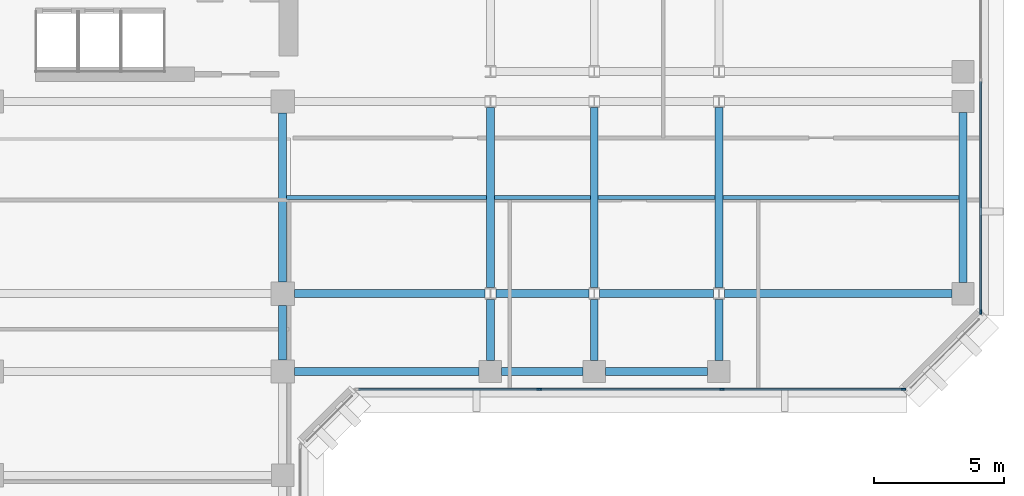
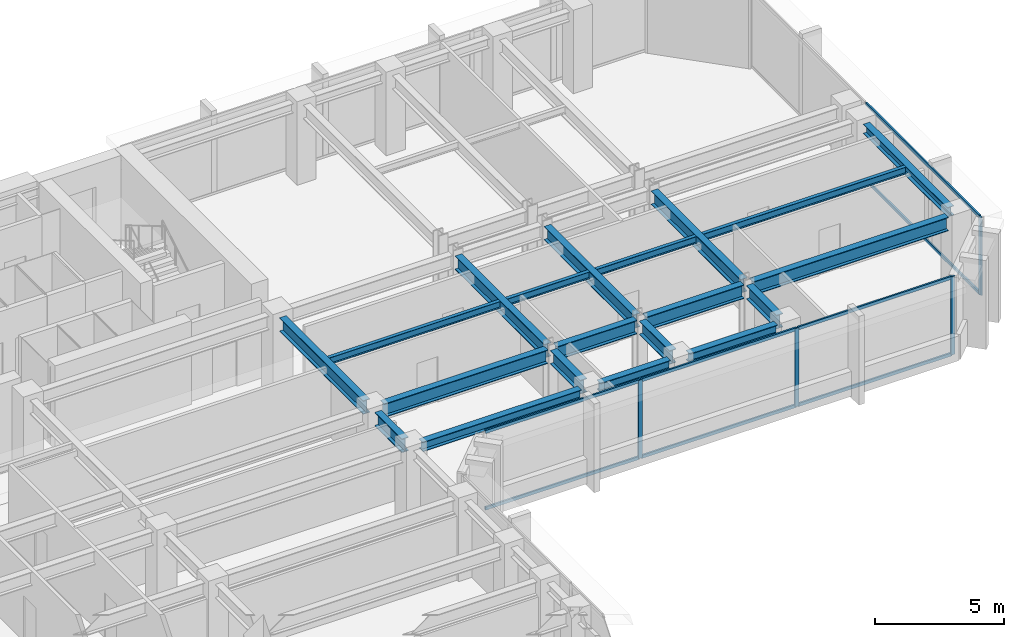
# One storey, part 3 of 11: 20 beams, 12 members, 2 elements without a shape of their own.
"""IFC4 building model written with IfcOpenShell, lengths in metres."""

import ifcopenshell
import ifcopenshell.guid

model = None  # the IFC model being written
_history = None  # IfcOwnerHistory: only IFC2X3 demands one
_inside = {}  # id of a spatial element -> (the spatial element, [elements in it])
_under = {}  # id of a project, library or spatial element -> (it, [spatial elements below it])
_declared = {}  # id of a project -> (the project, [libraries it declares])
_typed = {}  # id of a type object -> (the type object, [elements of that type])
_made_of = {}  # id of a material, layer set ... -> (it, [elements and type objects made of it])


def new_model(schema):
    """Start an empty IFC model of exactly this schema.

    Asked for "IFC4X3", IfcOpenShell would pick the latest addendum, in which some entities
    have other attributes; the version numbers below select the first issue.
    IFC2X3 requires an IfcOwnerHistory on every rooted entity: one is made here for all.
    """
    global model, _history
    if schema == "IFC4X3":
        model = ifcopenshell.file(schema_version=(4, 3, 0, 0))
    else:
        model = ifcopenshell.file(schema=schema)
    _inside.clear()
    _under.clear()
    _declared.clear()
    _typed.clear()
    _made_of.clear()
    _history = None
    if model.schema == "IFC2X3":
        org = make("IfcOrganization", Name="unknown")
        user = make(
            "IfcPersonAndOrganization",
            ThePerson=make("IfcPerson", FamilyName="unknown"),
            TheOrganization=org,
        )
        app = make(
            "IfcApplication",
            ApplicationDeveloper=org,
            Version="unknown",
            ApplicationFullName="unknown",
            ApplicationIdentifier="unknown",
        )
        _history = make(
            "IfcOwnerHistory",
            OwningUser=user,
            OwningApplication=app,
            ChangeAction="ADDED",
            CreationDate=0,
        )
    return model


def make(cls, **values):
    """One entity of the class cls with the attributes given. An attribute that is None is left unset."""
    return model.create_entity(
        cls, **{name: value for name, value in values.items() if value is not None}
    )


def rooted(cls, **values):
    """An entity with a GlobalId (a new one), such as an element, a storey or a relation."""
    return make(cls, GlobalId=ifcopenshell.guid.new(), OwnerHistory=_history, **values)


def si_unit(unit_type, name, prefix=None):
    """IfcSIUnit, for example si_unit("LENGTHUNIT", "METRE", prefix="MILLI")."""
    return make("IfcSIUnit", UnitType=unit_type, Prefix=prefix, Name=name)


def assignment(units):
    """IfcUnitAssignment: the units of a project."""
    return None if units is None else make("IfcUnitAssignment", Units=units)


def point(xyz):
    """IfcCartesianPoint."""
    return None if xyz is None else make("IfcCartesianPoint", Coordinates=xyz)


def direction(xyz):
    """IfcDirection."""
    return None if xyz is None else make("IfcDirection", DirectionRatios=xyz)


def frame(location, z_axis=None, x_axis=None):
    """IfcAxis2Placement3D, a coordinate frame: its origin and axes. An axis left out is left unset."""
    return make(
        "IfcAxis2Placement3D",
        Location=point(location),
        Axis=direction(z_axis),
        RefDirection=direction(x_axis),
    )


def frame_2d(location, x_axis=None):
    """IfcAxis2Placement2D, a coordinate frame in the plane: its origin and x axis."""
    return make(
        "IfcAxis2Placement2D", Location=point(location), RefDirection=direction(x_axis)
    )


def origin():
    """The frame at (0, 0, 0) with its axes left unset."""
    return frame((0.0, 0.0, 0.0))


def origin_2d():
    """The frame at (0, 0) in the plane with its x axis left unset."""
    return frame_2d((0.0, 0.0))


def place(relative_to, where):
    """IfcLocalPlacement: puts the frame where relative to a parent placement (None: the world)."""
    return make(
        "IfcLocalPlacement", PlacementRelTo=relative_to, RelativePlacement=where
    )


def context(
    kind, dimensions, precision=None, world=None, true_north=None, identifier=None
):
    """IfcGeometricRepresentationContext, for example the 3D "Model" context."""
    return make(
        "IfcGeometricRepresentationContext",
        ContextIdentifier=identifier,
        ContextType=kind,
        CoordinateSpaceDimension=dimensions,
        Precision=precision,
        WorldCoordinateSystem=world,
        TrueNorth=true_north,
    )


def subcontext(parent, identifier, kind, view, scale=None):
    """IfcGeometricRepresentationSubContext, for example "Body" below "Model"."""
    return make(
        "IfcGeometricRepresentationSubContext",
        ContextIdentifier=identifier,
        ContextType=kind,
        ParentContext=parent,
        TargetScale=scale,
        TargetView=view,
    )


def project(units=None, contexts=None):
    """IfcProject with its units and contexts."""
    return rooted(
        "IfcProject",
        Name="project",
        RepresentationContexts=contexts,
        UnitsInContext=assignment(units),
    )


def spatial(cls, under=None, at=None, **own):
    """A site, building, storey or space (cls), placed at a placement, below another one or the project."""
    s = rooted(cls, ObjectPlacement=at, **own)
    if under is not None:
        _under.setdefault(under.id(), (under, []))[1].append(s)
    return s


def profile(cls, at=None, kind="AREA", **sizes):
    """A parametric profile (cls). Its sizes go by their IFC names, for example OverallWidth=200.0."""
    return make(cls, ProfileType=kind, Position=at, **sizes)


def rectangle(**sizes):
    """IfcRectangleProfileDef."""
    return profile("IfcRectangleProfileDef", **sizes)


def i_section(**sizes):
    """IfcIShapeProfileDef."""
    return profile("IfcIShapeProfileDef", **sizes)


def extrude(swept, where, along, depth):
    """IfcExtrudedAreaSolid: the profile swept, set in the frame where, extruded along a direction by depth."""
    return make(
        "IfcExtrudedAreaSolid",
        SweptArea=swept,
        Position=where,
        ExtrudedDirection=direction(along),
        Depth=depth,
    )


def shape(context_of_items, identifier, shape_type, items):
    """IfcShapeRepresentation: the items that make up one representation, for example the "Body"."""
    return make(
        "IfcShapeRepresentation",
        ContextOfItems=context_of_items,
        RepresentationIdentifier=identifier,
        RepresentationType=shape_type,
        Items=items,
    )


def material(Name=None, Category=None):
    """IfcMaterial."""
    return make("IfcMaterial", Name=Name, Category=Category)


def layer(
    of_material, thickness, ventilated=None, Name=None, Category=None, Priority=None
):
    """IfcMaterialLayer: one layer of a wall or slab, of a material (None: an air gap)."""
    return make(
        "IfcMaterialLayer",
        Material=of_material,
        LayerThickness=thickness,
        IsVentilated=ventilated,
        Name=Name,
        Category=Category,
        Priority=Priority,
    )


def layer_set(layers, Name=None):
    """IfcMaterialLayerSet."""
    return make("IfcMaterialLayerSet", MaterialLayers=layers, LayerSetName=Name)


def material_profile(
    of_material, cross_section, Name=None, Category=None, Priority=None
):
    """IfcMaterialProfile: a cross section and its material."""
    return make(
        "IfcMaterialProfile",
        Name=Name,
        Material=of_material,
        Profile=cross_section,
        Priority=Priority,
        Category=Category,
    )


def profile_set(profiles, Name=None, composite=None):
    """IfcMaterialProfileSet."""
    return make(
        "IfcMaterialProfileSet",
        Name=Name,
        MaterialProfiles=profiles,
        CompositeProfile=composite,
    )


def made_of(thing, what):
    """Note that an element or type object is made of a material, layer set ...; save() writes the relation."""
    if what is not None:
        _made_of.setdefault(what.id(), (what, []))[1].append(thing)
    return thing


def type_object(cls, material=None, **own):
    """A type object (cls), such as IfcWallType, which elements share."""
    return made_of(rooted(cls, **own), material)


def element(
    cls,
    number,
    at=None,
    inside=None,
    cuts=None,
    type_object=None,
    material=None,
    context=None,
    identifier="Body",
    shape_type=None,
    held_by="IfcProductDefinitionShape",
    body=None,
    shapes=None,
    **own,
):
    """One element of the class cls, such as IfcWall. Its Tag is "e" and its number.

    at: its placement. inside: the storey or other place that contains it. cuts: it is an
    opening in that element (IfcRelVoidsElement). A single representation is given by context,
    identifier, shape_type and body (its items); several are given by shapes. held_by: the class
    of the entity that holds the representations. save() writes the other relations.
    """
    e = rooted(cls, Tag="e%d" % number, ObjectPlacement=at, **own)
    if body is not None:
        shapes = [shape(context, identifier, shape_type, body)]
    if shapes is not None:
        e.Representation = make(held_by, Representations=shapes)
    if inside is not None:
        _inside.setdefault(inside.id(), (inside, []))[1].append(e)
    if cuts is not None:
        rooted(
            "IfcRelVoidsElement", RelatingBuildingElement=cuts, RelatedOpeningElement=e
        )
    if type_object is not None:
        _typed.setdefault(type_object.id(), (type_object, []))[1].append(e)
    return made_of(e, material)


def aggregate(whole, parts):
    """IfcRelAggregates: a whole, such as a stair, and the parts it consists of."""
    return rooted("IfcRelAggregates", RelatingObject=whole, RelatedObjects=parts)


def save(model, path):
    """Write the relations noted so far, then the file.

    IfcRelAggregates (storeys below a building ...), IfcRelContainedInSpatialStructure (elements
    in a storey), IfcRelDefinesByType, IfcRelAssociatesMaterial and IfcRelDeclares: one each for
    every whole, place, type object, material and project.
    """
    for whole, parts in _under.values():
        aggregate(whole, parts)
    for where, things in _inside.values():
        rooted(
            "IfcRelContainedInSpatialStructure",
            RelatedElements=things,
            RelatingStructure=where,
        )
    for kind, things in _typed.values():
        rooted("IfcRelDefinesByType", RelatedObjects=things, RelatingType=kind)
    for what, things in _made_of.values():
        rooted("IfcRelAssociatesMaterial", RelatedObjects=things, RelatingMaterial=what)
    for by, libraries in _declared.values():
        rooted("IfcRelDeclares", RelatingContext=by, RelatedDefinitions=libraries)
    model.write(path)


model = new_model("IFC4")

# Units and contexts
model_context = context("Model", 3, precision=1e-05, world=origin(), true_north=direction((0.0, 1.0)))
body_context = subcontext(model_context, "Body", "Model", "MODEL_VIEW")
ifc_project = project(units=[si_unit("LENGTHUNIT", "METRE"), si_unit("AREAUNIT", "SQUARE_METRE"), si_unit("VOLUMEUNIT", "CUBIC_METRE"), si_unit("PLANEANGLEUNIT", "RADIAN"), si_unit("MASSUNIT", "GRAM", prefix="KILO")], contexts=[model_context])

# Site, building, storey
site_placement = place(None, origin())
site = spatial("IfcSite", under=ifc_project, at=site_placement, CompositionType="ELEMENT")
building_placement = place(site_placement, origin())
building = spatial("IfcBuilding", under=site, at=building_placement, Name="Kefirva Bronze Tower", CompositionType="ELEMENT")
storey_placement = place(building_placement, frame((0.0, 0.0, 150.81005859375)))
storey = spatial("IfcBuildingStorey", under=building, at=storey_placement, Name="L36", CompositionType="ELEMENT", Elevation=150.81005859375)

# Curtain wall, members
ifc_material_1 = material(Name="Bronze anodised aluminium", Category="aluminium")
ifc_layer = layer(ifc_material_1, 0.199951171875, Name="Bronze anodised aluminium")
ifc_layer_set = layer_set([ifc_layer], Name="Bronze anodised aluminium")
curtain_wall_type = type_object("IfcCurtainWallType", Name="Unitised Bronze Ribbon Curtain Wall Zone 2", PredefinedType="USERDEFINED", material=ifc_layer_set)
curtain_wall_1_placement = place(storey_placement, origin())
curtain_wall_1 = element("IfcCurtainWall", 1, at=curtain_wall_1_placement, inside=storey, type_object=curtain_wall_type, Name="L36 Curtain Wall 3", ObjectType="UNITISED CURTAIN WALL", PredefinedType="USERDEFINED")
ifc_material_profile_1 = material_profile(ifc_material_1, rectangle(XDim=0.074951171875, YDim=0.179931640625, at=origin_2d()), Name="ALU 75x180")
ifc_profile_set_1 = profile_set([ifc_material_profile_1], Name="Bronze anodised aluminium")
member_type_1 = type_object("IfcMemberType", Name="Bronze Mullion 75x180", PredefinedType="MULLION", material=ifc_profile_set_1)
member_1_placement = place(storey_placement, frame((33.0849609375, 22.1201171875, 0.0), z_axis=(0.0, 0.0, 1.0), x_axis=(0.0, 1.0, 0.0)))
member_1 = element("IfcMember", 2, at=member_1_placement, type_object=member_type_1, Name="CW-02 mullion 2", PredefinedType="MULLION", context=body_context, shape_type="SweptSolid", body=[
    extrude(rectangle(XDim=0.074951171875, YDim=0.179931640625, at=origin_2d()), origin(), (0.0, 0.0, 1.0), 3.7099609375),
])
member_2_placement = place(storey_placement, frame((40.114990234375, 22.1201171875, 0.0), z_axis=(0.0, 0.0, 1.0), x_axis=(0.0, 1.0, 0.0)))
member_2 = element("IfcMember", 3, at=member_2_placement, type_object=member_type_1, Name="CW-02 mullion 3", PredefinedType="MULLION", context=body_context, shape_type="SweptSolid", body=[
    extrude(rectangle(XDim=0.074951171875, YDim=0.179931640625, at=origin_2d()), origin(), (0.0, 0.0, 1.0), 3.7099609375),
])
member_3_placement = place(storey_placement, frame((47.107421875, 22.1201171875, 0.0), z_axis=(0.0, 0.0, 1.0), x_axis=(0.0, 1.0, 0.0)))
member_3 = element("IfcMember", 4, at=member_3_placement, type_object=member_type_1, Name="CW-02 mullion 4", PredefinedType="MULLION", context=body_context, shape_type="SweptSolid", body=[
    extrude(rectangle(XDim=0.074951171875, YDim=0.179931640625, at=origin_2d()), origin(), (0.0, 0.0, 1.0), 3.7099609375),
])

# Curtain wall, member
curtain_wall_2_placement = place(storey_placement, origin())
curtain_wall_2 = element("IfcCurtainWall", 5, at=curtain_wall_2_placement, inside=storey, type_object=curtain_wall_type, Name="L36 Curtain Wall 4", ObjectType="UNITISED CURTAIN WALL", PredefinedType="USERDEFINED")
member_4_placement = place(storey_placement, frame((50.080078125, 25.092529296875, 0.0), z_axis=(0.0, 0.0, 1.0), x_axis=(-1.0, 0.0, 0.0)))
member_4 = element("IfcMember", 6, at=member_4_placement, type_object=member_type_1, Name="CW-02 mullion 1", PredefinedType="MULLION", context=body_context, shape_type="SweptSolid", body=[
    extrude(rectangle(XDim=0.074951171875, YDim=0.179931640625, at=origin_2d()), origin(), (0.0, 0.0, 1.0), 3.7099609375),
])

# Member
ifc_material_profile_2 = material_profile(ifc_material_1, rectangle(XDim=0.074951171875, YDim=0.14990234375, at=origin_2d()), Name="ALU 75x150")
ifc_profile_set_2 = profile_set([ifc_material_profile_2], Name="Bronze anodised aluminium")
member_type_2 = type_object("IfcMemberType", Name="Bronze Transom 75x150", PredefinedType="USERDEFINED", material=ifc_profile_set_2)
member_5_placement = place(storey_placement, frame((26.1298828125, 22.1201171875, 0.037353515625), z_axis=(1.0, 0.0, 0.0), x_axis=(0.0, 1.0, 0.0)))
member_5 = element("IfcMember", 7, at=member_5_placement, type_object=member_type_2, Name="CW-02 transom 1.1", ObjectType="TRANSOM", PredefinedType="USERDEFINED", context=body_context, shape_type="SweptSolid", body=[
    extrude(rectangle(XDim=0.074951171875, YDim=0.14990234375, at=origin_2d()), origin(), (0.0, 0.0, 1.0), 6.917724609375),
])

member_6_placement = place(storey_placement, frame((26.1298828125, 22.1201171875, 3.67236328125), z_axis=(1.0, 0.0, 0.0), x_axis=(0.0, 1.0, 0.0)))
member_6 = element("IfcMember", 8, at=member_6_placement, type_object=member_type_2, Name="CW-02 transom 1.2", ObjectType="TRANSOM", PredefinedType="USERDEFINED", context=body_context, shape_type="SweptSolid", body=[
    extrude(rectangle(XDim=0.074951171875, YDim=0.14990234375, at=origin_2d()), origin(), (0.0, 0.0, 1.0), 6.917724609375),
])

member_7_placement = place(storey_placement, frame((33.12255859375, 22.1201171875, 0.037353515625), z_axis=(1.0, 0.0, 0.0), x_axis=(0.0, 1.0, 0.0)))
member_7 = element("IfcMember", 9, at=member_7_placement, type_object=member_type_2, Name="CW-02 transom 2.1", ObjectType="TRANSOM", PredefinedType="USERDEFINED", context=body_context, shape_type="SweptSolid", body=[
    extrude(rectangle(XDim=0.074951171875, YDim=0.14990234375, at=origin_2d()), origin(), (0.0, 0.0, 1.0), 6.954833984375),
])

member_8_placement = place(storey_placement, frame((33.12255859375, 22.1201171875, 3.67236328125), z_axis=(1.0, 0.0, 0.0), x_axis=(0.0, 1.0, 0.0)))
member_8 = element("IfcMember", 10, at=member_8_placement, type_object=member_type_2, Name="CW-02 transom 2.2", ObjectType="TRANSOM", PredefinedType="USERDEFINED", context=body_context, shape_type="SweptSolid", body=[
    extrude(rectangle(XDim=0.074951171875, YDim=0.14990234375, at=origin_2d()), origin(), (0.0, 0.0, 1.0), 6.954833984375),
])

member_9_placement = place(storey_placement, frame((40.152587890625, 22.1201171875, 0.037353515625), z_axis=(1.0, 0.0, 0.0), x_axis=(0.0, 1.0, 0.0)))
member_9 = element("IfcMember", 11, at=member_9_placement, type_object=member_type_2, Name="CW-02 transom 3.1", ObjectType="TRANSOM", PredefinedType="USERDEFINED", context=body_context, shape_type="SweptSolid", body=[
    extrude(rectangle(XDim=0.074951171875, YDim=0.14990234375, at=origin_2d()), origin(), (0.0, 0.0, 1.0), 6.91748046875),
])

member_10_placement = place(storey_placement, frame((40.152587890625, 22.1201171875, 3.67236328125), z_axis=(1.0, 0.0, 0.0), x_axis=(0.0, 1.0, 0.0)))
member_10 = element("IfcMember", 12, at=member_10_placement, type_object=member_type_2, Name="CW-02 transom 3.2", ObjectType="TRANSOM", PredefinedType="USERDEFINED", context=body_context, shape_type="SweptSolid", body=[
    extrude(rectangle(XDim=0.074951171875, YDim=0.14990234375, at=origin_2d()), origin(), (0.0, 0.0, 1.0), 6.91748046875),
])

aggregate(curtain_wall_1, [member_1, member_2, member_3, member_5, member_6, member_7, member_8, member_9, member_10])

member_11_placement = place(storey_placement, frame((50.080078125, 25.1298828125, 0.037353515625), z_axis=(0.0, 1.0, 0.0), x_axis=(-1.0, 0.0, 0.0)))
member_11 = element("IfcMember", 13, at=member_11_placement, type_object=member_type_2, Name="CW-02 transom 1.1", ObjectType="TRANSOM", PredefinedType="USERDEFINED", context=body_context, shape_type="SweptSolid", body=[
    extrude(rectangle(XDim=0.074951171875, YDim=0.14990234375, at=origin_2d()), origin(), (0.0, 0.0, 1.0), 8.83251953125),
])

member_12_placement = place(storey_placement, frame((50.080078125, 25.1298828125, 3.67236328125), z_axis=(0.0, 1.0, 0.0), x_axis=(-1.0, 0.0, 0.0)))
member_12 = element("IfcMember", 14, at=member_12_placement, type_object=member_type_2, Name="CW-02 transom 1.2", ObjectType="TRANSOM", PredefinedType="USERDEFINED", context=body_context, shape_type="SweptSolid", body=[
    extrude(rectangle(XDim=0.074951171875, YDim=0.14990234375, at=origin_2d()), origin(), (0.0, 0.0, 1.0), 8.83251953125),
])

aggregate(curtain_wall_2, [member_4, member_11, member_12])

# Beams
ifc_material_2 = material(Name="Steel S355", Category="steel")
ifc_material_profile_3 = material_profile(ifc_material_2, i_section(OverallWidth=0.159912109375, OverallDepth=0.330078125, WebThickness=0.007568359375, FlangeThickness=0.011474609375, at=origin_2d()), Name="IPE 330")
ifc_profile_set_3 = profile_set([ifc_material_profile_3], Name="Steel S355")
beam_type_1 = type_object("IfcBeamType", Name="Steel Floor Joist IPE 330", PredefinedType="JOIST", material=ifc_profile_set_3)
beam_1_placement = place(storey_placement, frame((23.35009765625, 29.5, 3.544921875), z_axis=(1.0, 0.0, 0.0), x_axis=(0.0, 1.0, 0.0)))
element("IfcBeam", 15, at=beam_1_placement, inside=storey, type_object=beam_type_1, Name="L36 JST-L36-23-295", PredefinedType="JOIST", context=body_context, shape_type="SweptSolid", body=[
    extrude(i_section(OverallWidth=0.159912109375, OverallDepth=0.330078125, WebThickness=0.007568359375, FlangeThickness=0.011474609375, at=origin_2d()), origin(), (0.0, 0.0, 1.0), 7.699951171875),
])
beam_2_placement = place(storey_placement, frame((31.35009765625, 29.5, 3.544921875), z_axis=(1.0, 0.0, 0.0), x_axis=(0.0, 1.0, 0.0)))
element("IfcBeam", 16, at=beam_2_placement, inside=storey, type_object=beam_type_1, Name="L36 JST-L36-31-295", PredefinedType="JOIST", context=body_context, shape_type="SweptSolid", body=[
    extrude(i_section(OverallWidth=0.159912109375, OverallDepth=0.330078125, WebThickness=0.007568359375, FlangeThickness=0.011474609375, at=origin_2d()), origin(), (0.0, 0.0, 1.0), 3.699951171875),
])
beam_3_placement = place(storey_placement, frame((35.35009765625, 29.5, 3.544921875), z_axis=(1.0, 0.0, 0.0), x_axis=(0.0, 1.0, 0.0)))
element("IfcBeam", 17, at=beam_3_placement, inside=storey, type_object=beam_type_1, Name="L36 JST-L36-35-295", PredefinedType="JOIST", context=body_context, shape_type="SweptSolid", body=[
    extrude(i_section(OverallWidth=0.159912109375, OverallDepth=0.330078125, WebThickness=0.007568359375, FlangeThickness=0.011474609375, at=origin_2d()), origin(), (0.0, 0.0, 1.0), 4.5),
])
beam_4_placement = place(storey_placement, frame((40.14990234375, 29.5, 3.544921875), z_axis=(1.0, 0.0, 0.0), x_axis=(0.0, 1.0, 0.0)))
element("IfcBeam", 18, at=beam_4_placement, inside=storey, type_object=beam_type_1, Name="L36 JST-L36-40-295", PredefinedType="JOIST", context=body_context, shape_type="SweptSolid", body=[
    extrude(i_section(OverallWidth=0.159912109375, OverallDepth=0.330078125, WebThickness=0.007568359375, FlangeThickness=0.011474609375, at=origin_2d()), origin(), (0.0, 0.0, 1.0), 9.10009765625),
])
ifc_material_profile_4 = material_profile(ifc_material_2, i_section(OverallWidth=0.300048828125, OverallDepth=0.64990234375, WebThickness=0.01611328125, FlangeThickness=0.031005859375, at=origin_2d()), Name="HEB 650")
ifc_profile_set_4 = profile_set([ifc_material_profile_4], Name="Steel S355")
beam_type_2 = type_object("IfcBeamType", Name="Steel Girder HEB 650", PredefinedType="USERDEFINED", material=ifc_profile_set_4)
beam_5_placement = place(storey_placement, frame((23.64990234375, 25.800048828125, 3.385009765625), z_axis=(1.0, 0.0, 0.0), x_axis=(0.0, 1.0, 0.0)))
element("IfcBeam", 19, at=beam_5_placement, inside=storey, type_object=beam_type_2, Name="L36 BM-L36-EW-23-258", ObjectType="GIRDER", PredefinedType="USERDEFINED", context=body_context, shape_type="SweptSolid", body=[
    extrude(i_section(OverallWidth=0.300048828125, OverallDepth=0.64990234375, WebThickness=0.01611328125, FlangeThickness=0.031005859375, at=origin_2d()), origin(), (0.0, 0.0, 1.0), 7.341064453125),
])
beam_6_placement = place(storey_placement, frame((31.408935546875, 25.800048828125, 3.385009765625), z_axis=(1.0, 0.0, 0.0), x_axis=(0.0, 1.0, 0.0)))
element("IfcBeam", 20, at=beam_6_placement, inside=storey, type_object=beam_type_2, Name="L36 BM-L36-EW-31-258", ObjectType="GIRDER", PredefinedType="USERDEFINED", context=body_context, shape_type="SweptSolid", body=[
    extrude(i_section(OverallWidth=0.300048828125, OverallDepth=0.64990234375, WebThickness=0.01611328125, FlangeThickness=0.031005859375, at=origin_2d()), origin(), (0.0, 0.0, 1.0), 3.58203125),
])
beam_7_placement = place(storey_placement, frame((35.408935546875, 25.800048828125, 3.385009765625), z_axis=(1.0, 0.0, 0.0), x_axis=(0.0, 1.0, 0.0)))
element("IfcBeam", 21, at=beam_7_placement, inside=storey, type_object=beam_type_2, Name="L36 BM-L36-EW-35-258", ObjectType="GIRDER", PredefinedType="USERDEFINED", context=body_context, shape_type="SweptSolid", body=[
    extrude(i_section(OverallWidth=0.300048828125, OverallDepth=0.64990234375, WebThickness=0.01611328125, FlangeThickness=0.031005859375, at=origin_2d()), origin(), (0.0, 0.0, 1.0), 4.382080078125),
])
beam_8_placement = place(storey_placement, frame((40.208984375, 25.800048828125, 3.385009765625), z_axis=(1.0, 0.0, 0.0), x_axis=(0.0, 1.0, 0.0)))
element("IfcBeam", 22, at=beam_8_placement, inside=storey, type_object=beam_type_2, Name="L36 BM-L36-EW-40-258", ObjectType="GIRDER", PredefinedType="USERDEFINED", context=body_context, shape_type="SweptSolid", body=[
    extrude(i_section(OverallWidth=0.300048828125, OverallDepth=0.64990234375, WebThickness=0.01611328125, FlangeThickness=0.031005859375, at=origin_2d()), origin(), (0.0, 0.0, 1.0), 8.760986328125),
])
beam_9_placement = place(storey_placement, frame((23.199951171875, 23.25, 3.385009765625), z_axis=(0.0, 1.0, 0.0), x_axis=(-1.0, 0.0, 0.0)))
element("IfcBeam", 23, at=beam_9_placement, inside=storey, type_object=beam_type_2, Name="L36 BM-L36-NS-232-22", ObjectType="GIRDER", PredefinedType="USERDEFINED", context=body_context, shape_type="SweptSolid", body=[
    extrude(i_section(OverallWidth=0.300048828125, OverallDepth=0.64990234375, WebThickness=0.01611328125, FlangeThickness=0.031005859375, at=origin_2d()), origin(), (0.0, 0.0, 1.0), 2.10009765625),
])
beam_10_placement = place(storey_placement, frame((23.199951171875, 26.25, 3.385009765625), z_axis=(0.0, 1.0, 0.0), x_axis=(-1.0, 0.0, 0.0)))
element("IfcBeam", 24, at=beam_10_placement, inside=storey, type_object=beam_type_2, Name="L36 BM-L36-NS-232-25", ObjectType="GIRDER", PredefinedType="USERDEFINED", context=body_context, shape_type="SweptSolid", body=[
    extrude(i_section(OverallWidth=0.300048828125, OverallDepth=0.64990234375, WebThickness=0.01611328125, FlangeThickness=0.031005859375, at=origin_2d()), origin(), (0.0, 0.0, 1.0), 6.5),
])
beam_11_placement = place(storey_placement, frame((31.199951171875, 23.22998046875, 3.385009765625), z_axis=(0.0, 1.0, 0.0), x_axis=(-1.0, 0.0, 0.0)))
element("IfcBeam", 25, at=beam_11_placement, inside=storey, type_object=beam_type_2, Name="L36 BM-L36-NS-312-22", ObjectType="GIRDER", PredefinedType="USERDEFINED", context=body_context, shape_type="SweptSolid", body=[
    extrude(i_section(OverallWidth=0.300048828125, OverallDepth=0.64990234375, WebThickness=0.01611328125, FlangeThickness=0.031005859375, at=origin_2d()), origin(), (0.0, 0.0, 1.0), 2.342529296875),
])
beam_12_placement = place(storey_placement, frame((31.199951171875, 26.027587890625, 3.385009765625), z_axis=(0.0, 1.0, 0.0), x_axis=(-1.0, 0.0, 0.0)))
element("IfcBeam", 26, at=beam_12_placement, inside=storey, type_object=beam_type_2, Name="L36 BM-L36-NS-312-25", ObjectType="GIRDER", PredefinedType="USERDEFINED", context=body_context, shape_type="SweptSolid", body=[
    extrude(i_section(OverallWidth=0.300048828125, OverallDepth=0.64990234375, WebThickness=0.01611328125, FlangeThickness=0.031005859375, at=origin_2d()), origin(), (0.0, 0.0, 1.0), 6.94482421875),
])
beam_13_placement = place(storey_placement, frame((35.199951171875, 23.22998046875, 3.385009765625), z_axis=(0.0, 1.0, 0.0), x_axis=(-1.0, 0.0, 0.0)))
element("IfcBeam", 27, at=beam_13_placement, inside=storey, type_object=beam_type_2, Name="L36 BM-L36-NS-352-22", ObjectType="GIRDER", PredefinedType="USERDEFINED", context=body_context, shape_type="SweptSolid", body=[
    extrude(i_section(OverallWidth=0.300048828125, OverallDepth=0.64990234375, WebThickness=0.01611328125, FlangeThickness=0.031005859375, at=origin_2d()), origin(), (0.0, 0.0, 1.0), 2.342529296875),
])
beam_14_placement = place(storey_placement, frame((35.199951171875, 26.027587890625, 3.385009765625), z_axis=(0.0, 1.0, 0.0), x_axis=(-1.0, 0.0, 0.0)))
element("IfcBeam", 28, at=beam_14_placement, inside=storey, type_object=beam_type_2, Name="L36 BM-L36-NS-352-25", ObjectType="GIRDER", PredefinedType="USERDEFINED", context=body_context, shape_type="SweptSolid", body=[
    extrude(i_section(OverallWidth=0.300048828125, OverallDepth=0.64990234375, WebThickness=0.01611328125, FlangeThickness=0.031005859375, at=origin_2d()), origin(), (0.0, 0.0, 1.0), 6.94482421875),
])
beam_15_placement = place(storey_placement, frame((40.0, 23.22998046875, 3.385009765625), z_axis=(0.0, 1.0, 0.0), x_axis=(-1.0, 0.0, 0.0)))
element("IfcBeam", 29, at=beam_15_placement, inside=storey, type_object=beam_type_2, Name="L36 BM-L36-NS-400-22", ObjectType="GIRDER", PredefinedType="USERDEFINED", context=body_context, shape_type="SweptSolid", body=[
    extrude(i_section(OverallWidth=0.300048828125, OverallDepth=0.64990234375, WebThickness=0.01611328125, FlangeThickness=0.031005859375, at=origin_2d()), origin(), (0.0, 0.0, 1.0), 2.342529296875),
])
beam_16_placement = place(storey_placement, frame((40.0, 26.027587890625, 3.385009765625), z_axis=(0.0, 1.0, 0.0), x_axis=(-1.0, 0.0, 0.0)))
element("IfcBeam", 30, at=beam_16_placement, inside=storey, type_object=beam_type_2, Name="L36 BM-L36-NS-400-25", ObjectType="GIRDER", PredefinedType="USERDEFINED", context=body_context, shape_type="SweptSolid", body=[
    extrude(i_section(OverallWidth=0.300048828125, OverallDepth=0.64990234375, WebThickness=0.01611328125, FlangeThickness=0.031005859375, at=origin_2d()), origin(), (0.0, 0.0, 1.0), 6.94482421875),
])
ifc_material_profile_5 = material_profile(ifc_material_2, i_section(OverallWidth=0.300048828125, OverallDepth=0.449951171875, WebThickness=0.013916015625, FlangeThickness=0.02587890625, at=origin_2d()), Name="HEB 450")
ifc_profile_set_5 = profile_set([ifc_material_profile_5], Name="Steel S355")
beam_type_3 = type_object("IfcBeamType", Name="Steel Spandrel HEB 450 Ext", PredefinedType="SPANDREL", material=ifc_profile_set_5)
beam_17_placement = place(storey_placement, frame((23.64990234375, 22.800048828125, 3.48486328125), z_axis=(1.0, 0.0, 0.0), x_axis=(0.0, 1.0, 0.0)))
element("IfcBeam", 31, at=beam_17_placement, inside=storey, type_object=beam_type_3, Name="L36 BM-L36-EW-23-228", PredefinedType="SPANDREL", context=body_context, shape_type="SweptSolid", body=[
    extrude(i_section(OverallWidth=0.300048828125, OverallDepth=0.449951171875, WebThickness=0.013916015625, FlangeThickness=0.02587890625, at=origin_2d()), origin(), (0.0, 0.0, 1.0), 7.1201171875),
])
beam_18_placement = place(storey_placement, frame((31.6298828125, 22.800048828125, 3.48486328125), z_axis=(1.0, 0.0, 0.0), x_axis=(0.0, 1.0, 0.0)))
element("IfcBeam", 32, at=beam_18_placement, inside=storey, type_object=beam_type_3, Name="L36 BM-L36-EW-31-228", PredefinedType="SPANDREL", context=body_context, shape_type="SweptSolid", body=[
    extrude(i_section(OverallWidth=0.300048828125, OverallDepth=0.449951171875, WebThickness=0.013916015625, FlangeThickness=0.02587890625, at=origin_2d()), origin(), (0.0, 0.0, 1.0), 3.14013671875),
])
beam_19_placement = place(storey_placement, frame((35.6298828125, 22.800048828125, 3.48486328125), z_axis=(1.0, 0.0, 0.0), x_axis=(0.0, 1.0, 0.0)))
element("IfcBeam", 33, at=beam_19_placement, inside=storey, type_object=beam_type_3, Name="L36 BM-L36-EW-35-228", PredefinedType="SPANDREL", context=body_context, shape_type="SweptSolid", body=[
    extrude(i_section(OverallWidth=0.300048828125, OverallDepth=0.449951171875, WebThickness=0.013916015625, FlangeThickness=0.02587890625, at=origin_2d()), origin(), (0.0, 0.0, 1.0), 3.940185546875),
])
beam_20_placement = place(storey_placement, frame((49.39990234375, 26.22998046875, 3.48486328125), z_axis=(0.0, 1.0, 0.0), x_axis=(-1.0, 0.0, 0.0)))
element("IfcBeam", 34, at=beam_20_placement, inside=storey, type_object=beam_type_3, Name="L36 BM-L36-NS-494-25", PredefinedType="SPANDREL", context=body_context, shape_type="SweptSolid", body=[
    extrude(i_section(OverallWidth=0.300048828125, OverallDepth=0.449951171875, WebThickness=0.013916015625, FlangeThickness=0.02587890625, at=origin_2d()), origin(), (0.0, 0.0, 1.0), 6.5400390625),
])

save(model, "model.ifc")
